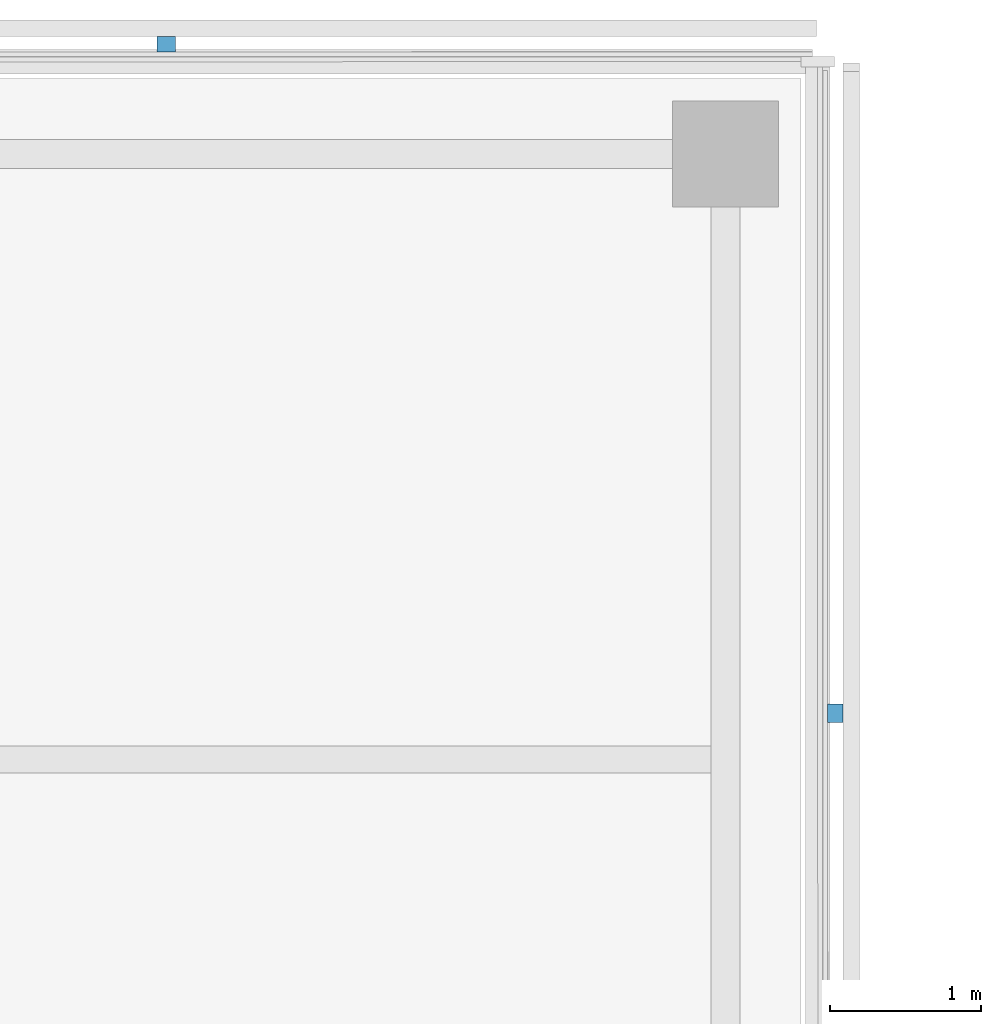
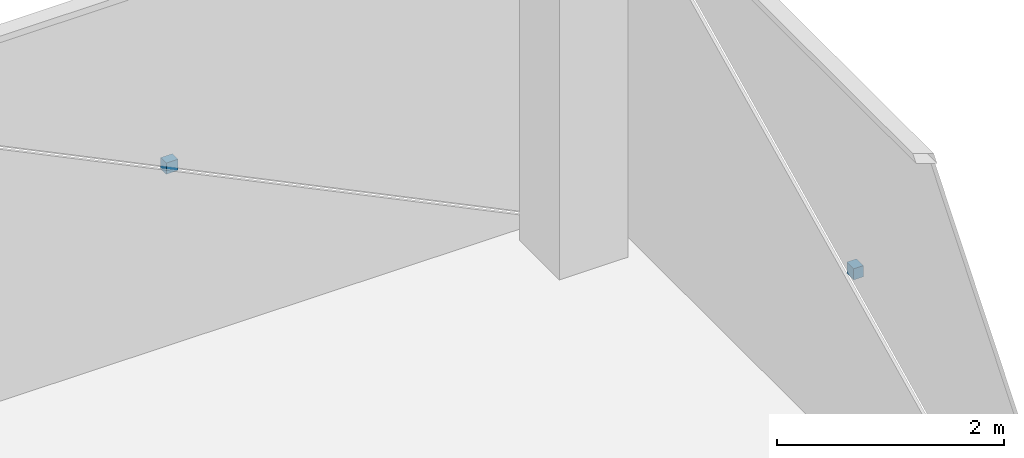
# One storey, part 20 of 22: 2 discrete accessories.
"""IFC4 building model written with IfcOpenShell, lengths in metres."""

import ifcopenshell
import ifcopenshell.guid

model = None  # the IFC model being written
_history = None  # IfcOwnerHistory: only IFC2X3 demands one
_inside = {}  # id of a spatial element -> (the spatial element, [elements in it])
_under = {}  # id of a project, library or spatial element -> (it, [spatial elements below it])
_declared = {}  # id of a project -> (the project, [libraries it declares])
_typed = {}  # id of a type object -> (the type object, [elements of that type])
_made_of = {}  # id of a material, layer set ... -> (it, [elements and type objects made of it])


def new_model(schema):
    """Start an empty IFC model of exactly this schema.

    Asked for "IFC4X3", IfcOpenShell would pick the latest addendum, in which some entities
    have other attributes; the version numbers below select the first issue.
    IFC2X3 requires an IfcOwnerHistory on every rooted entity: one is made here for all.
    """
    global model, _history
    if schema == "IFC4X3":
        model = ifcopenshell.file(schema_version=(4, 3, 0, 0))
    else:
        model = ifcopenshell.file(schema=schema)
    _inside.clear()
    _under.clear()
    _declared.clear()
    _typed.clear()
    _made_of.clear()
    _history = None
    if model.schema == "IFC2X3":
        org = make("IfcOrganization", Name="unknown")
        user = make(
            "IfcPersonAndOrganization",
            ThePerson=make("IfcPerson", FamilyName="unknown"),
            TheOrganization=org,
        )
        app = make(
            "IfcApplication",
            ApplicationDeveloper=org,
            Version="unknown",
            ApplicationFullName="unknown",
            ApplicationIdentifier="unknown",
        )
        _history = make(
            "IfcOwnerHistory",
            OwningUser=user,
            OwningApplication=app,
            ChangeAction="ADDED",
            CreationDate=0,
        )
    return model


def make(cls, **values):
    """One entity of the class cls with the attributes given. An attribute that is None is left unset."""
    return model.create_entity(
        cls, **{name: value for name, value in values.items() if value is not None}
    )


def rooted(cls, **values):
    """An entity with a GlobalId (a new one), such as an element, a storey or a relation."""
    return make(cls, GlobalId=ifcopenshell.guid.new(), OwnerHistory=_history, **values)


def si_unit(unit_type, name, prefix=None):
    """IfcSIUnit, for example si_unit("LENGTHUNIT", "METRE", prefix="MILLI")."""
    return make("IfcSIUnit", UnitType=unit_type, Prefix=prefix, Name=name)


def assignment(units):
    """IfcUnitAssignment: the units of a project."""
    return None if units is None else make("IfcUnitAssignment", Units=units)


def point(xyz):
    """IfcCartesianPoint."""
    return None if xyz is None else make("IfcCartesianPoint", Coordinates=xyz)


def direction(xyz):
    """IfcDirection."""
    return None if xyz is None else make("IfcDirection", DirectionRatios=xyz)


def frame(location, z_axis=None, x_axis=None):
    """IfcAxis2Placement3D, a coordinate frame: its origin and axes. An axis left out is left unset."""
    return make(
        "IfcAxis2Placement3D",
        Location=point(location),
        Axis=direction(z_axis),
        RefDirection=direction(x_axis),
    )


def frame_2d(location, x_axis=None):
    """IfcAxis2Placement2D, a coordinate frame in the plane: its origin and x axis."""
    return make(
        "IfcAxis2Placement2D", Location=point(location), RefDirection=direction(x_axis)
    )


def origin():
    """The frame at (0, 0, 0) with its axes left unset."""
    return frame((0.0, 0.0, 0.0))


def origin_2d():
    """The frame at (0, 0) in the plane with its x axis left unset."""
    return frame_2d((0.0, 0.0))


def place(relative_to, where):
    """IfcLocalPlacement: puts the frame where relative to a parent placement (None: the world)."""
    return make(
        "IfcLocalPlacement", PlacementRelTo=relative_to, RelativePlacement=where
    )


def context(
    kind, dimensions, precision=None, world=None, true_north=None, identifier=None
):
    """IfcGeometricRepresentationContext, for example the 3D "Model" context."""
    return make(
        "IfcGeometricRepresentationContext",
        ContextIdentifier=identifier,
        ContextType=kind,
        CoordinateSpaceDimension=dimensions,
        Precision=precision,
        WorldCoordinateSystem=world,
        TrueNorth=true_north,
    )


def subcontext(parent, identifier, kind, view, scale=None):
    """IfcGeometricRepresentationSubContext, for example "Body" below "Model"."""
    return make(
        "IfcGeometricRepresentationSubContext",
        ContextIdentifier=identifier,
        ContextType=kind,
        ParentContext=parent,
        TargetScale=scale,
        TargetView=view,
    )


def project(units=None, contexts=None):
    """IfcProject with its units and contexts."""
    return rooted(
        "IfcProject",
        Name="project",
        RepresentationContexts=contexts,
        UnitsInContext=assignment(units),
    )


def spatial(cls, under=None, at=None, **own):
    """A site, building, storey or space (cls), placed at a placement, below another one or the project."""
    s = rooted(cls, ObjectPlacement=at, **own)
    if under is not None:
        _under.setdefault(under.id(), (under, []))[1].append(s)
    return s


def profile(cls, at=None, kind="AREA", **sizes):
    """A parametric profile (cls). Its sizes go by their IFC names, for example OverallWidth=200.0."""
    return make(cls, ProfileType=kind, Position=at, **sizes)


def rectangle(**sizes):
    """IfcRectangleProfileDef."""
    return profile("IfcRectangleProfileDef", **sizes)


def extrude(swept, where, along, depth):
    """IfcExtrudedAreaSolid: the profile swept, set in the frame where, extruded along a direction by depth."""
    return make(
        "IfcExtrudedAreaSolid",
        SweptArea=swept,
        Position=where,
        ExtrudedDirection=direction(along),
        Depth=depth,
    )


def shape(context_of_items, identifier, shape_type, items):
    """IfcShapeRepresentation: the items that make up one representation, for example the "Body"."""
    return make(
        "IfcShapeRepresentation",
        ContextOfItems=context_of_items,
        RepresentationIdentifier=identifier,
        RepresentationType=shape_type,
        Items=items,
    )


def material(Name=None, Category=None):
    """IfcMaterial."""
    return make("IfcMaterial", Name=Name, Category=Category)


def made_of(thing, what):
    """Note that an element or type object is made of a material, layer set ...; save() writes the relation."""
    if what is not None:
        _made_of.setdefault(what.id(), (what, []))[1].append(thing)
    return thing


def type_object(cls, material=None, **own):
    """A type object (cls), such as IfcWallType, which elements share."""
    return made_of(rooted(cls, **own), material)


def element(
    cls,
    number,
    at=None,
    inside=None,
    cuts=None,
    type_object=None,
    material=None,
    context=None,
    identifier="Body",
    shape_type=None,
    held_by="IfcProductDefinitionShape",
    body=None,
    shapes=None,
    **own,
):
    """One element of the class cls, such as IfcWall. Its Tag is "e" and its number.

    at: its placement. inside: the storey or other place that contains it. cuts: it is an
    opening in that element (IfcRelVoidsElement). A single representation is given by context,
    identifier, shape_type and body (its items); several are given by shapes. held_by: the class
    of the entity that holds the representations. save() writes the other relations.
    """
    e = rooted(cls, Tag="e%d" % number, ObjectPlacement=at, **own)
    if body is not None:
        shapes = [shape(context, identifier, shape_type, body)]
    if shapes is not None:
        e.Representation = make(held_by, Representations=shapes)
    if inside is not None:
        _inside.setdefault(inside.id(), (inside, []))[1].append(e)
    if cuts is not None:
        rooted(
            "IfcRelVoidsElement", RelatingBuildingElement=cuts, RelatedOpeningElement=e
        )
    if type_object is not None:
        _typed.setdefault(type_object.id(), (type_object, []))[1].append(e)
    return made_of(e, material)


def aggregate(whole, parts):
    """IfcRelAggregates: a whole, such as a stair, and the parts it consists of."""
    return rooted("IfcRelAggregates", RelatingObject=whole, RelatedObjects=parts)


def save(model, path):
    """Write the relations noted so far, then the file.

    IfcRelAggregates (storeys below a building ...), IfcRelContainedInSpatialStructure (elements
    in a storey), IfcRelDefinesByType, IfcRelAssociatesMaterial and IfcRelDeclares: one each for
    every whole, place, type object, material and project.
    """
    for whole, parts in _under.values():
        aggregate(whole, parts)
    for where, things in _inside.values():
        rooted(
            "IfcRelContainedInSpatialStructure",
            RelatedElements=things,
            RelatingStructure=where,
        )
    for kind, things in _typed.values():
        rooted("IfcRelDefinesByType", RelatedObjects=things, RelatingType=kind)
    for what, things in _made_of.values():
        rooted("IfcRelAssociatesMaterial", RelatedObjects=things, RelatingMaterial=what)
    for by, libraries in _declared.values():
        rooted("IfcRelDeclares", RelatingContext=by, RelatedDefinitions=libraries)
    model.write(path)


model = new_model("IFC4")

# Units and contexts
model_context = context("Model", 3, precision=1e-05, world=origin(), true_north=direction((0.0, 1.0)))
body_context = subcontext(model_context, "Body", "Model", "MODEL_VIEW")
ifc_project = project(units=[si_unit("LENGTHUNIT", "METRE"), si_unit("AREAUNIT", "SQUARE_METRE"), si_unit("VOLUMEUNIT", "CUBIC_METRE"), si_unit("PLANEANGLEUNIT", "RADIAN"), si_unit("MASSUNIT", "GRAM", prefix="KILO")], contexts=[model_context])

# Site, building, storey
site_placement = place(None, origin())
site = spatial("IfcSite", under=ifc_project, at=site_placement, CompositionType="ELEMENT")
building_placement = place(site_placement, origin())
building = spatial("IfcBuilding", under=site, at=building_placement, Name="Crosswind Convention Tower", CompositionType="ELEMENT")
storey_placement = place(building_placement, frame((0.0, 0.0, 121.10009765625)))
storey = spatial("IfcBuildingStorey", under=building, at=storey_placement, Name="L24", CompositionType="ELEMENT", Elevation=121.10009765625)

# Discrete accessories
ifc_material = material(Name="Stainless steel", Category="steel")
discrete_accessory_type = type_object("IfcDiscreteAccessoryType", Name="BAGUETTE BRACKET BK3", PredefinedType="BRACKET", material=ifc_material)
for number, where, z_axis, x_axis, name in (
    (1, (137.72607421875, 124.304931640625, 1.704833984375), (0.0, 0.0, 1.0), (0.0, 1.0, 0.0), "BK3 baguette bracket"),
    (2, (133.304931640625, 128.72607421875, 1.704833984375), (0.0, 0.0, 1.0), (-1.0, 0.0, 0.0), "BK3 baguette bracket"),
):
    element("IfcDiscreteAccessory", number, at=place(storey_placement, frame(where, z_axis=z_axis, x_axis=x_axis)), inside=storey, type_object=discrete_accessory_type, Name=name, PredefinedType="BRACKET", context=body_context, shape_type="SweptSolid", body=[
        extrude(rectangle(XDim=0.1201171875, YDim=0.10009765625, at=origin_2d()), origin(), (0.0, 0.0, 1.0), 0.1201171875),
    ])

save(model, "model.ifc")
